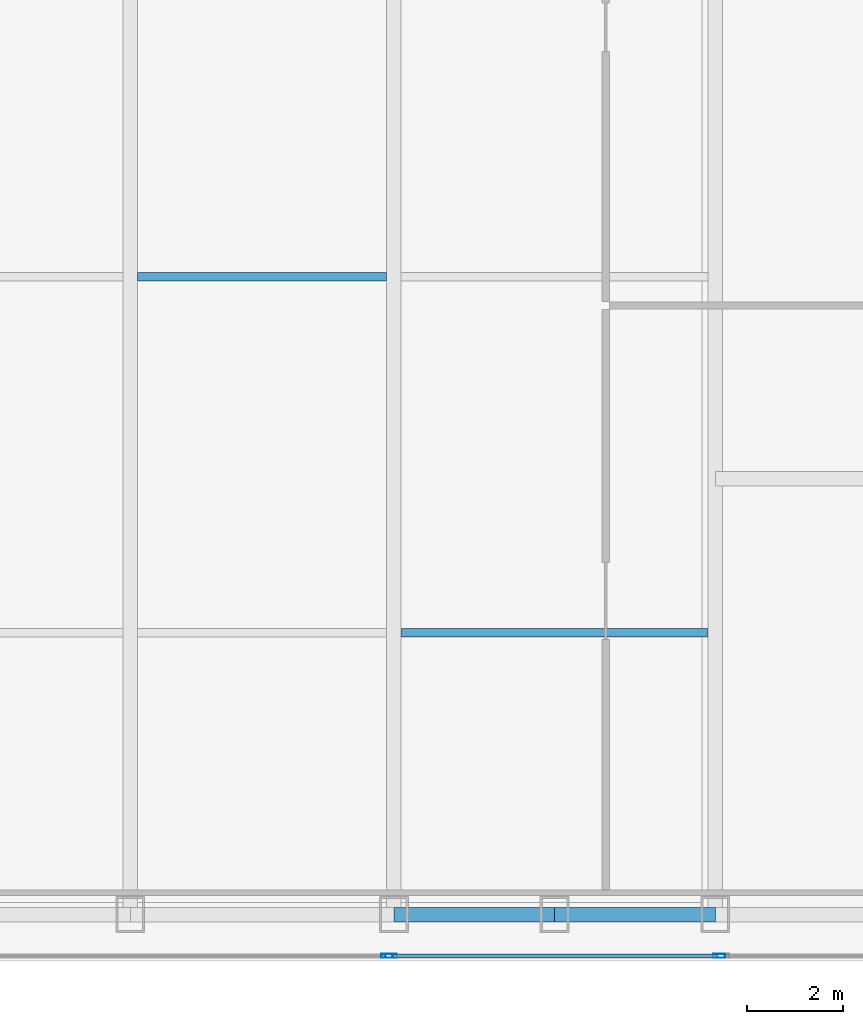
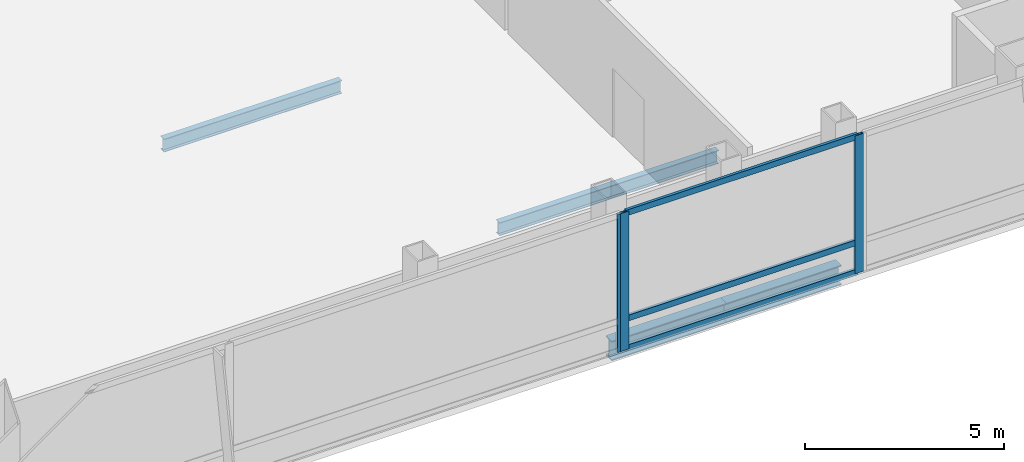
# One storey, part 14 of 28: 6 members, 4 beams, 2 elements without a shape of their own.
"""IFC4 building model written with IfcOpenShell, lengths in metres."""

from ifc_helpers import new_model, si_unit, direction, frame, origin, origin_2d, place, context, subcontext, project, spatial, hollow_rectangle, i_section, extrude, material, material_profile, profile_set, type_object, element, aggregate, save


model = new_model("IFC4")

# Units and contexts
model_context = context("Model", 3, precision=1e-05, world=origin(), true_north=direction((0.0, 1.0)))
body_context = subcontext(model_context, "Body", "Model", "MODEL_VIEW")
ifc_project = project(units=[si_unit("LENGTHUNIT", "METRE"), si_unit("AREAUNIT", "SQUARE_METRE"), si_unit("VOLUMEUNIT", "CUBIC_METRE"), si_unit("PLANEANGLEUNIT", "RADIAN"), si_unit("MASSUNIT", "GRAM", prefix="KILO")], contexts=[model_context])

# Site, building, storey
site_placement = place(None, origin())
site = spatial("IfcSite", under=ifc_project, at=site_placement, CompositionType="ELEMENT")
building_placement = place(site_placement, origin())
building = spatial("IfcBuilding", under=site, at=building_placement, Name="Khoronbel Lancet Exchange", CompositionType="ELEMENT")
storey_placement = place(building_placement, frame((0.0, 0.0, 265.39990234375)))
storey = spatial("IfcBuildingStorey", under=building, at=storey_placement, Name="L68", CompositionType="ELEMENT", Elevation=265.39990234375)

# Beams
ifc_material_1 = material(Name="Steel S355", Category="steel")
ifc_material_profile_1 = material_profile(ifc_material_1, i_section(OverallWidth=0.179931640625, OverallDepth=0.39990234375, WebThickness=0.008544921875, FlangeThickness=0.013427734375, at=origin_2d()), Name="IPE 400")
ifc_profile_set_1 = profile_set([ifc_material_profile_1], Name="Steel S355")
beam_type_1 = type_object("IfcBeamType", Name="BM-BJ5", PredefinedType="JOIST", material=ifc_profile_set_1)
beam_1_placement = place(storey_placement, frame((48.14990234375, 16.0, -0.39990234375), z_axis=(1.0, 0.0, 0.0), x_axis=(0.0, 1.0, 0.0)))
element("IfcBeam", 1, at=beam_1_placement, inside=storey, type_object=beam_type_1, Name="Level L68 secondary composite joist J05", PredefinedType="JOIST", context=body_context, shape_type="SweptSolid", body=[
    extrude(i_section(OverallWidth=0.179931640625, OverallDepth=0.39990234375, WebThickness=0.008544921875, FlangeThickness=0.013427734375, at=origin_2d()), origin(), (0.0, 0.0, 1.0), 6.375),
])
beam_2_placement = place(storey_placement, frame((42.675048828125, 23.39990234375, -0.39990234375), z_axis=(1.0, 0.0, 0.0), x_axis=(0.0, 1.0, 0.0)))
element("IfcBeam", 2, at=beam_2_placement, inside=storey, type_object=beam_type_1, Name="Level L68 secondary composite joist J09", PredefinedType="JOIST", context=body_context, shape_type="SweptSolid", body=[
    extrude(i_section(OverallWidth=0.179931640625, OverallDepth=0.39990234375, WebThickness=0.008544921875, FlangeThickness=0.013427734375, at=origin_2d()), origin(), (0.0, 0.0, 1.0), 5.175048828125),
])
ifc_material_profile_2 = material_profile(ifc_material_1, i_section(OverallWidth=0.300048828125, OverallDepth=0.60009765625, WebThickness=0.015380859375, FlangeThickness=0.030029296875, at=origin_2d()), Name="HEB 600")
ifc_profile_set_2 = profile_set([ifc_material_profile_2], Name="Steel S355")
beam_type_2 = type_object("IfcBeamType", Name="BM-BSP2", PredefinedType="SPANDREL", material=ifc_profile_set_2)
beam_3_placement = place(storey_placement, frame((48.0, 10.14990234375, -0.5), z_axis=(1.0, 0.0, 0.0), x_axis=(0.0, 1.0, 0.0)))
element("IfcBeam", 3, at=beam_3_placement, inside=storey, type_object=beam_type_2, Name="Level L68 perimeter spandrel beam SP07", PredefinedType="SPANDREL", context=body_context, shape_type="SweptSolid", body=[
    extrude(i_section(OverallWidth=0.300048828125, OverallDepth=0.60009765625, WebThickness=0.015380859375, FlangeThickness=0.030029296875, at=origin_2d()), origin(), (0.0, 0.0, 1.0), 3.33740234375),
])
beam_4_placement = place(storey_placement, frame((51.33740234375, 10.14990234375, -0.5), z_axis=(1.0, 0.0, 0.0), x_axis=(0.0, 1.0, 0.0)))
element("IfcBeam", 4, at=beam_4_placement, inside=storey, type_object=beam_type_2, Name="Level L68 perimeter spandrel beam SP08", PredefinedType="SPANDREL", context=body_context, shape_type="SweptSolid", body=[
    extrude(i_section(OverallWidth=0.300048828125, OverallDepth=0.60009765625, WebThickness=0.015380859375, FlangeThickness=0.030029296875, at=origin_2d()), origin(), (0.0, 0.0, 1.0), 3.337646484375),
])

# Curtain wall, member
ifc_material_2 = material(Name="Low-E Solar Control Insulating Glass", Category="glass")
curtain_wall_type = type_object("IfcCurtainWallType", Name="CW-3", PredefinedType="NOTDEFINED", material=ifc_material_2)
curtain_wall_1_placement = place(storey_placement, origin())
curtain_wall_1 = element("IfcCurtainWall", 5, at=curtain_wall_1_placement, inside=storey, type_object=curtain_wall_type, Name="Unitised curtain wall CW-L68-SCV", PredefinedType="NOTDEFINED")
ifc_material_3 = material(Name="Bronze-Anodised Aluminium 6063-T6", Category="aluminium")
ifc_material_profile_3 = material_profile(ifc_material_3, hollow_rectangle(XDim=0.0849609375, YDim=0.239990234375, WallThickness=0.006103515625, at=origin_2d()), Name="ALU MULLION 85x240")
ifc_profile_set_3 = profile_set([ifc_material_profile_3], Name="Bronze-Anodised Aluminium 6063-T6")
member_type_1 = type_object("IfcMemberType", Name="MEM-CWM1", PredefinedType="MULLION", material=ifc_profile_set_3)
member_1_placement = place(storey_placement, frame((47.857421875, 9.2900390625, 0.0), z_axis=(0.0, 0.0, 1.0), x_axis=(0.0, 1.0, 0.0)))
member_1 = element("IfcMember", 6, at=member_1_placement, type_object=member_type_1, Name="CW3 mullion 3", PredefinedType="MULLION", context=body_context, shape_type="SweptSolid", body=[
    extrude(hollow_rectangle(XDim=0.0849609375, YDim=0.239990234375, WallThickness=0.006103515625, at=origin_2d()), origin(), (0.0, 0.0, 1.0), 4.239990234375),
])
aggregate(curtain_wall_1, [member_1])

# Curtain wall, members
curtain_wall_2_placement = place(storey_placement, origin())
curtain_wall_2 = element("IfcCurtainWall", 7, at=curtain_wall_2_placement, inside=storey, type_object=curtain_wall_type, Name="Unitised curtain wall CW-L68-SEB", PredefinedType="NOTDEFINED")
member_2_placement = place(storey_placement, frame((47.9423828125, 9.2900390625, 0.0), z_axis=(0.0, 0.0, 1.0), x_axis=(0.0, 1.0, 0.0)))
member_2 = element("IfcMember", 8, at=member_2_placement, type_object=member_type_1, Name="CW3 mullion 1", PredefinedType="MULLION", context=body_context, shape_type="SweptSolid", body=[
    extrude(hollow_rectangle(XDim=0.0849609375, YDim=0.239990234375, WallThickness=0.006103515625, at=origin_2d()), origin(), (0.0, 0.0, 1.0), 4.239990234375),
])
member_3_placement = place(storey_placement, frame((54.757568359375, 9.2900390625, 0.0), z_axis=(0.0, 0.0, 1.0), x_axis=(0.0, 1.0, 0.0)))
member_3 = element("IfcMember", 9, at=member_3_placement, type_object=member_type_1, Name="CW3 mullion 2", PredefinedType="MULLION", context=body_context, shape_type="SweptSolid", body=[
    extrude(hollow_rectangle(XDim=0.0849609375, YDim=0.239990234375, WallThickness=0.006103515625, at=origin_2d()), origin(), (0.0, 0.0, 1.0), 4.239990234375),
])
ifc_material_profile_4 = material_profile(ifc_material_3, hollow_rectangle(XDim=0.0849609375, YDim=0.179931640625, WallThickness=0.0048828125, at=origin_2d()), Name="ALU TRANSOM 85x180")
ifc_profile_set_4 = profile_set([ifc_material_profile_4], Name="Bronze-Anodised Aluminium 6063-T6")
member_type_2 = type_object("IfcMemberType", Name="MEM-CWT1", PredefinedType="USERDEFINED", material=ifc_profile_set_4)
member_4_placement = place(storey_placement, frame((47.985107421875, 9.2900390625, 0.04248046875), z_axis=(1.0, 0.0, 0.0), x_axis=(0.0, 1.0, 0.0)))
member_4 = element("IfcMember", 10, at=member_4_placement, type_object=member_type_2, Name="CW3 transom 1.1", ObjectType="TRANSOM", PredefinedType="USERDEFINED", context=body_context, shape_type="SweptSolid", body=[
    extrude(hollow_rectangle(XDim=0.0849609375, YDim=0.179931640625, WallThickness=0.0048828125, at=origin_2d()), origin(), (0.0, 0.0, 1.0), 6.72998046875),
])
member_5_placement = place(storey_placement, frame((47.985107421875, 9.2900390625, 0.9501953125), z_axis=(1.0, 0.0, 0.0), x_axis=(0.0, 1.0, 0.0)))
member_5 = element("IfcMember", 11, at=member_5_placement, type_object=member_type_2, Name="CW3 transom 1.2", ObjectType="TRANSOM", PredefinedType="USERDEFINED", context=body_context, shape_type="SweptSolid", body=[
    extrude(hollow_rectangle(XDim=0.0849609375, YDim=0.179931640625, WallThickness=0.0048828125, at=origin_2d()), origin(), (0.0, 0.0, 1.0), 6.72998046875),
])
member_6_placement = place(storey_placement, frame((47.985107421875, 9.2900390625, 4.197509765625), z_axis=(1.0, 0.0, 0.0), x_axis=(0.0, 1.0, 0.0)))
member_6 = element("IfcMember", 12, at=member_6_placement, type_object=member_type_2, Name="CW3 transom 1.3", ObjectType="TRANSOM", PredefinedType="USERDEFINED", context=body_context, shape_type="SweptSolid", body=[
    extrude(hollow_rectangle(XDim=0.0849609375, YDim=0.179931640625, WallThickness=0.0048828125, at=origin_2d()), origin(), (0.0, 0.0, 1.0), 6.72998046875),
])
aggregate(curtain_wall_2, [member_2, member_3, member_4, member_5, member_6])

save(model, "model.ifc")
